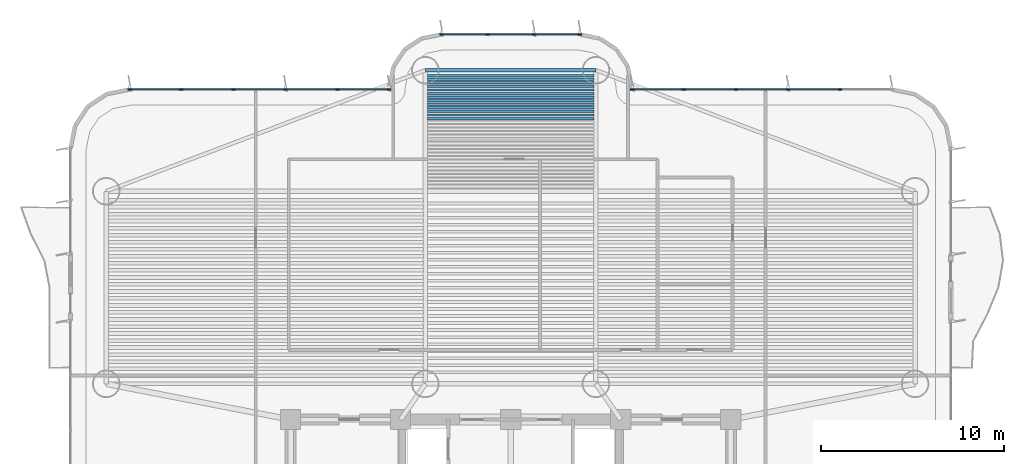
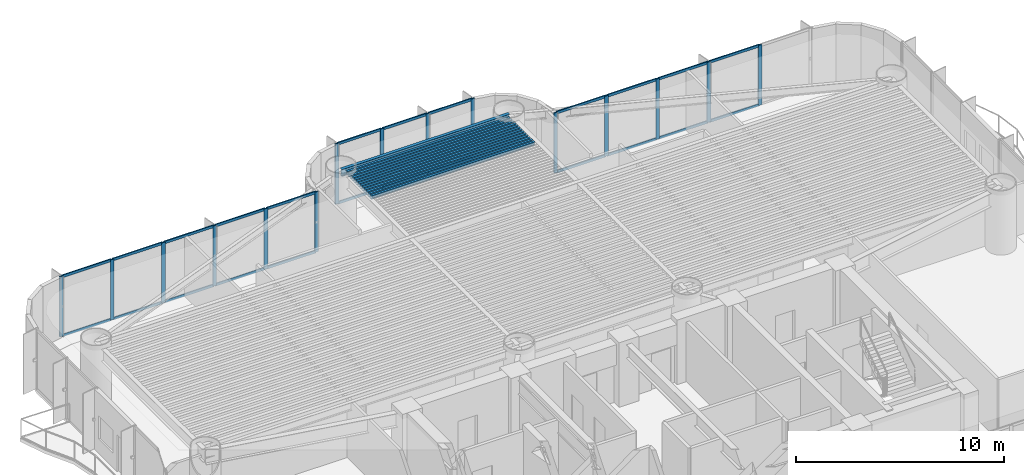
# One storey, part 7 of 16: 39 members, 14 beams, 3 elements without a shape of their own.
"""IFC4 building model written with IfcOpenShell, lengths in metres."""

from ifc_helpers import new_model, si_unit, direction, frame, origin, origin_2d, place, context, subcontext, project, spatial, rectangle, i_section, extrude, source, transform, mapped, material, layer, layer_set, material_profile, profile_set, type_object, element, aggregate, save


model = new_model("IFC4")

# Units and contexts
model_context = context("Model", 3, precision=1e-05, world=origin(), true_north=direction((0.0, 1.0)))
body_context = subcontext(model_context, "Body", "Model", "MODEL_VIEW")
ifc_project = project(units=[si_unit("LENGTHUNIT", "METRE"), si_unit("AREAUNIT", "SQUARE_METRE"), si_unit("VOLUMEUNIT", "CUBIC_METRE"), si_unit("PLANEANGLEUNIT", "RADIAN"), si_unit("MASSUNIT", "GRAM", prefix="KILO")], contexts=[model_context])

# Site, building, storey
site_placement = place(None, origin())
site = spatial("IfcSite", under=ifc_project, at=site_placement, CompositionType="ELEMENT")
building_placement = place(site_placement, origin())
building = spatial("IfcBuilding", under=site, at=building_placement, Name="Brelvock Crest Care Tower", CompositionType="ELEMENT")
storey_placement = place(building_placement, frame((0.0, 0.0, 57.239990234375)))
storey = spatial("IfcBuildingStorey", under=building, at=storey_placement, Name="L14", CompositionType="ELEMENT", Elevation=57.239990234375)

# Beams
ifc_material_1 = material(Name="Steel Grade 350", Category="steel")
ifc_material_profile_1 = material_profile(ifc_material_1, i_section(OverallWidth=0.177978515625, OverallDepth=0.406005859375, WebThickness=0.0078125, FlangeThickness=0.0126953125, FilletRadius=0.011474609375, at=origin_2d()), Name="410UB59.7")
ifc_profile_set_1 = profile_set([ifc_material_profile_1], Name="Steel Grade 350")
beam_type_1 = type_object("IfcBeamType", Name="BM-SP1", PredefinedType="SPANDREL", material=ifc_profile_set_1)
shared_shape_1 = source(origin(), body_context, "Body", "SweptSolid", [
    extrude(i_section(OverallWidth=0.177978515625, OverallDepth=0.406005859375, WebThickness=0.0078125, FlangeThickness=0.0126953125, FilletRadius=0.011474609375, at=origin_2d()), origin(), (0.0, 0.0, 1.0), 9.2998046875),
])
beam_placement = place(storey_placement, frame((31.35009765625, 37.050048828125, 3.326904296875), z_axis=(1.0, 0.0, 0.0), x_axis=(0.0, 1.0, 0.0)))
element("IfcBeam", 1, at=beam_placement, inside=storey, type_object=beam_type_1, Name="BM-TWR-L14-08", PredefinedType="SPANDREL", context=body_context, shape_type="MappedRepresentation", body=[
    mapped(shared_shape_1, transform((0.0, 0.0, 0.0), x_axis=(1.0, 0.0, 0.0), y_axis=(0.0, 1.0, 0.0), z_axis=(0.0, 0.0, 1.0), scale=1.0)),
])
ifc_material_profile_2 = material_profile(ifc_material_1, i_section(OverallWidth=0.134033203125, OverallDepth=0.20703125, WebThickness=0.00634765625, FlangeThickness=0.009521484375, FilletRadius=0.0087890625, at=origin_2d()), Name="200UB29.8")
ifc_profile_set_2 = profile_set([ifc_material_profile_2], Name="Steel Grade 350")
beam_type_2 = type_object("IfcBeamType", Name="BM-J4", PredefinedType="JOIST", material=ifc_profile_set_2)
shared_shape_2 = source(origin(), body_context, "Body", "SweptSolid", [
    extrude(i_section(OverallWidth=0.134033203125, OverallDepth=0.20703125, WebThickness=0.00634765625, FlangeThickness=0.009521484375, FilletRadius=0.0087890625, at=origin_2d()), origin(), (0.0, 0.0, 1.0), 9.06982421875),
])
for number, where, z_axis, x_axis, name in (
    (2, (31.465087890625, 34.413330078125, 3.426513671875), (1.0, 0.0, 0.0), (0.0, 1.0, 0.0), "BM-JN-L14-20"),
    (3, (31.465087890625, 34.60791015625, 3.426513671875), (1.0, 0.0, 0.0), (0.0, 1.0, 0.0), "BM-JN-L14-21"),
    (4, (31.465087890625, 34.802734375, 3.426513671875), (1.0, 0.0, 0.0), (0.0, 1.0, 0.0), "BM-JN-L14-22"),
    (5, (31.465087890625, 34.997314453125, 3.426513671875), (1.0, 0.0, 0.0), (0.0, 1.0, 0.0), "BM-JN-L14-23"),
    (6, (31.465087890625, 35.192138671875, 3.426513671875), (1.0, 0.0, 0.0), (0.0, 1.0, 0.0), "BM-JN-L14-24"),
    (7, (31.465087890625, 35.38671875, 3.426513671875), (1.0, 0.0, 0.0), (0.0, 1.0, 0.0), "BM-JN-L14-25"),
    (8, (31.465087890625, 35.58154296875, 3.426513671875), (1.0, 0.0, 0.0), (0.0, 1.0, 0.0), "BM-JN-L14-26"),
    (9, (31.465087890625, 35.776123046875, 3.426513671875), (1.0, 0.0, 0.0), (0.0, 1.0, 0.0), "BM-JN-L14-27"),
    (10, (31.465087890625, 35.970947265625, 3.426513671875), (1.0, 0.0, 0.0), (0.0, 1.0, 0.0), "BM-JN-L14-28"),
    (11, (31.465087890625, 36.16552734375, 3.426513671875), (1.0, 0.0, 0.0), (0.0, 1.0, 0.0), "BM-JN-L14-29"),
    (12, (31.465087890625, 36.3603515625, 3.426513671875), (1.0, 0.0, 0.0), (0.0, 1.0, 0.0), "BM-JN-L14-30"),
    (13, (31.465087890625, 36.554931640625, 3.426513671875), (1.0, 0.0, 0.0), (0.0, 1.0, 0.0), "BM-JN-L14-31"),
    (14, (31.465087890625, 36.749755859375, 3.426513671875), (1.0, 0.0, 0.0), (0.0, 1.0, 0.0), "BM-JN-L14-32"),
):
    element("IfcBeam", number, at=place(storey_placement, frame(where, z_axis=z_axis, x_axis=x_axis)), inside=storey, type_object=beam_type_2, Name=name, PredefinedType="JOIST", context=body_context, shape_type="MappedRepresentation", body=[
        mapped(shared_shape_2, transform((0.0, 0.0, 0.0), x_axis=(1.0, 0.0, 0.0), y_axis=(0.0, 1.0, 0.0), z_axis=(0.0, 0.0, 1.0), scale=1.0)),
    ])

# Curtain wall, members
ifc_material_2 = material(Name="Dark Glass Double Glazed Low-E", Category="glass")
ifc_layer = layer(ifc_material_2, 0.195068359375, Name="CWS-2")
ifc_layer_set = layer_set([ifc_layer], Name="Dark Glass Double Glazed Low-E")
curtain_wall_type = type_object("IfcCurtainWallType", Name="CWS-2", PredefinedType="NOTDEFINED", material=ifc_layer_set)
curtain_wall_1_placement = place(storey_placement, origin())
curtain_wall_1 = element("IfcCurtainWall", 15, at=curtain_wall_1_placement, inside=storey, type_object=curtain_wall_type, Name="L14 Curtain Wall E18", PredefinedType="NOTDEFINED")
ifc_material_3 = material(Name="Aluminium 6063-T6", Category="aluminium")
ifc_material_profile_3 = material_profile(ifc_material_3, rectangle(XDim=0.06494140625, YDim=0.199951171875, at=origin_2d()), Name="ALU65x200")
ifc_profile_set_3 = profile_set([ifc_material_profile_3], Name="Aluminium 6063-T6")
member_type_1 = type_object("IfcMemberType", Name="CWM-1", PredefinedType="MULLION", material=ifc_profile_set_3)
shared_shape_3 = source(origin(), body_context, "Body", "SweptSolid", [
    extrude(rectangle(XDim=0.06494140625, YDim=0.199951171875, at=origin_2d()), origin(), (0.0, 0.0, 1.0), 3.530029296875),
])
member_1_placement = place(storey_placement, frame((15.232421875, 36.0, 0.0), z_axis=(0.0, 0.0, 1.0), x_axis=(0.0, 1.0, 0.0)))
member_1 = element("IfcMember", 16, at=member_1_placement, type_object=member_type_1, Name="CW-2 mullion 1", PredefinedType="MULLION", context=body_context, shape_type="MappedRepresentation", body=[
    mapped(shared_shape_3, transform((0.0, 0.0, 0.0), x_axis=(1.0, 0.0, 0.0), y_axis=(0.0, 1.0, 0.0), z_axis=(0.0, 0.0, 1.0), scale=1.0)),
])
member_2_placement = place(storey_placement, frame((18.0400390625, 36.0, 0.0), z_axis=(0.0, 0.0, 1.0), x_axis=(0.0, 1.0, 0.0)))
member_2 = element("IfcMember", 17, at=member_2_placement, type_object=member_type_1, Name="CW-2 mullion 2", PredefinedType="MULLION", context=body_context, shape_type="MappedRepresentation", body=[
    mapped(shared_shape_3, transform((0.0, 0.0, 0.0), x_axis=(1.0, 0.0, 0.0), y_axis=(0.0, 1.0, 0.0), z_axis=(0.0, 0.0, 1.0), scale=1.0)),
])
member_3_placement = place(storey_placement, frame((20.8798828125, 36.0, 0.0), z_axis=(0.0, 0.0, 1.0), x_axis=(0.0, 1.0, 0.0)))
member_3 = element("IfcMember", 18, at=member_3_placement, type_object=member_type_1, Name="CW-2 mullion 3", PredefinedType="MULLION", context=body_context, shape_type="MappedRepresentation", body=[
    mapped(shared_shape_3, transform((0.0, 0.0, 0.0), x_axis=(1.0, 0.0, 0.0), y_axis=(0.0, 1.0, 0.0), z_axis=(0.0, 0.0, 1.0), scale=1.0)),
])
member_4_placement = place(storey_placement, frame((23.719970703125, 36.0, 0.0), z_axis=(0.0, 0.0, 1.0), x_axis=(0.0, 1.0, 0.0)))
member_4 = element("IfcMember", 19, at=member_4_placement, type_object=member_type_1, Name="CW-2 mullion 4", PredefinedType="MULLION", context=body_context, shape_type="MappedRepresentation", body=[
    mapped(shared_shape_3, transform((0.0, 0.0, 0.0), x_axis=(1.0, 0.0, 0.0), y_axis=(0.0, 1.0, 0.0), z_axis=(0.0, 0.0, 1.0), scale=1.0)),
])
member_5_placement = place(storey_placement, frame((26.56005859375, 36.0, 0.0), z_axis=(0.0, 0.0, 1.0), x_axis=(0.0, 1.0, 0.0)))
member_5 = element("IfcMember", 20, at=member_5_placement, type_object=member_type_1, Name="CW-2 mullion 5", PredefinedType="MULLION", context=body_context, shape_type="MappedRepresentation", body=[
    mapped(shared_shape_3, transform((0.0, 0.0, 0.0), x_axis=(1.0, 0.0, 0.0), y_axis=(0.0, 1.0, 0.0), z_axis=(0.0, 0.0, 1.0), scale=1.0)),
])
member_6_placement = place(storey_placement, frame((29.367431640625, 36.0, 0.0), z_axis=(0.0, 0.0, 1.0), x_axis=(0.0, 1.0, 0.0)))
member_6 = element("IfcMember", 21, at=member_6_placement, type_object=member_type_1, Name="CW-2 mullion 6", PredefinedType="MULLION", context=body_context, shape_type="MappedRepresentation", body=[
    mapped(shared_shape_3, transform((0.0, 0.0, 0.0), x_axis=(1.0, 0.0, 0.0), y_axis=(0.0, 1.0, 0.0), z_axis=(0.0, 0.0, 1.0), scale=1.0)),
])

curtain_wall_2_placement = place(storey_placement, origin())
curtain_wall_2 = element("IfcCurtainWall", 22, at=curtain_wall_2_placement, inside=storey, type_object=curtain_wall_type, Name="L14 Curtain Wall E24", PredefinedType="NOTDEFINED")
member_7_placement = place(storey_placement, frame((32.232421875, 39.0, 0.0), z_axis=(0.0, 0.0, 1.0), x_axis=(0.0, 1.0, 0.0)))
member_7 = element("IfcMember", 23, at=member_7_placement, type_object=member_type_1, Name="CW-2 mullion 1", PredefinedType="MULLION", context=body_context, shape_type="MappedRepresentation", body=[
    mapped(shared_shape_3, transform((0.0, 0.0, 0.0), x_axis=(1.0, 0.0, 0.0), y_axis=(0.0, 1.0, 0.0), z_axis=(0.0, 0.0, 1.0), scale=1.0)),
])
member_8_placement = place(storey_placement, frame((34.7333984375, 39.0, 0.0), z_axis=(0.0, 0.0, 1.0), x_axis=(0.0, 1.0, 0.0)))
member_8 = element("IfcMember", 24, at=member_8_placement, type_object=member_type_1, Name="CW-2 mullion 2", PredefinedType="MULLION", context=body_context, shape_type="MappedRepresentation", body=[
    mapped(shared_shape_3, transform((0.0, 0.0, 0.0), x_axis=(1.0, 0.0, 0.0), y_axis=(0.0, 1.0, 0.0), z_axis=(0.0, 0.0, 1.0), scale=1.0)),
])
member_9_placement = place(storey_placement, frame((37.2666015625, 39.0, 0.0), z_axis=(0.0, 0.0, 1.0), x_axis=(0.0, 1.0, 0.0)))
member_9 = element("IfcMember", 25, at=member_9_placement, type_object=member_type_1, Name="CW-2 mullion 3", PredefinedType="MULLION", context=body_context, shape_type="MappedRepresentation", body=[
    mapped(shared_shape_3, transform((0.0, 0.0, 0.0), x_axis=(1.0, 0.0, 0.0), y_axis=(0.0, 1.0, 0.0), z_axis=(0.0, 0.0, 1.0), scale=1.0)),
])
member_10_placement = place(storey_placement, frame((39.767578125, 39.0, 0.0), z_axis=(0.0, 0.0, 1.0), x_axis=(0.0, 1.0, 0.0)))
member_10 = element("IfcMember", 26, at=member_10_placement, type_object=member_type_1, Name="CW-2 mullion 4", PredefinedType="MULLION", context=body_context, shape_type="MappedRepresentation", body=[
    mapped(shared_shape_3, transform((0.0, 0.0, 0.0), x_axis=(1.0, 0.0, 0.0), y_axis=(0.0, 1.0, 0.0), z_axis=(0.0, 0.0, 1.0), scale=1.0)),
])

curtain_wall_3_placement = place(storey_placement, origin())
curtain_wall_3 = element("IfcCurtainWall", 27, at=curtain_wall_3_placement, inside=storey, type_object=curtain_wall_type, Name="L14 Curtain Wall E30", PredefinedType="NOTDEFINED")
member_11_placement = place(storey_placement, frame((42.632568359375, 36.0, 0.0), z_axis=(0.0, 0.0, 1.0), x_axis=(0.0, 1.0, 0.0)))
member_11 = element("IfcMember", 28, at=member_11_placement, type_object=member_type_1, Name="CW-2 mullion 1", PredefinedType="MULLION", context=body_context, shape_type="MappedRepresentation", body=[
    mapped(shared_shape_3, transform((0.0, 0.0, 0.0), x_axis=(1.0, 0.0, 0.0), y_axis=(0.0, 1.0, 0.0), z_axis=(0.0, 0.0, 1.0), scale=1.0)),
])
member_12_placement = place(storey_placement, frame((45.43994140625, 36.0, 0.0), z_axis=(0.0, 0.0, 1.0), x_axis=(0.0, 1.0, 0.0)))
member_12 = element("IfcMember", 29, at=member_12_placement, type_object=member_type_1, Name="CW-2 mullion 2", PredefinedType="MULLION", context=body_context, shape_type="MappedRepresentation", body=[
    mapped(shared_shape_3, transform((0.0, 0.0, 0.0), x_axis=(1.0, 0.0, 0.0), y_axis=(0.0, 1.0, 0.0), z_axis=(0.0, 0.0, 1.0), scale=1.0)),
])
member_13_placement = place(storey_placement, frame((48.280029296875, 36.0, 0.0), z_axis=(0.0, 0.0, 1.0), x_axis=(0.0, 1.0, 0.0)))
member_13 = element("IfcMember", 30, at=member_13_placement, type_object=member_type_1, Name="CW-2 mullion 3", PredefinedType="MULLION", context=body_context, shape_type="MappedRepresentation", body=[
    mapped(shared_shape_3, transform((0.0, 0.0, 0.0), x_axis=(1.0, 0.0, 0.0), y_axis=(0.0, 1.0, 0.0), z_axis=(0.0, 0.0, 1.0), scale=1.0)),
])
member_14_placement = place(storey_placement, frame((51.1201171875, 36.0, 0.0), z_axis=(0.0, 0.0, 1.0), x_axis=(0.0, 1.0, 0.0)))
member_14 = element("IfcMember", 31, at=member_14_placement, type_object=member_type_1, Name="CW-2 mullion 4", PredefinedType="MULLION", context=body_context, shape_type="MappedRepresentation", body=[
    mapped(shared_shape_3, transform((0.0, 0.0, 0.0), x_axis=(1.0, 0.0, 0.0), y_axis=(0.0, 1.0, 0.0), z_axis=(0.0, 0.0, 1.0), scale=1.0)),
])
member_15_placement = place(storey_placement, frame((53.9599609375, 36.0, 0.0), z_axis=(0.0, 0.0, 1.0), x_axis=(0.0, 1.0, 0.0)))
member_15 = element("IfcMember", 32, at=member_15_placement, type_object=member_type_1, Name="CW-2 mullion 5", PredefinedType="MULLION", context=body_context, shape_type="MappedRepresentation", body=[
    mapped(shared_shape_3, transform((0.0, 0.0, 0.0), x_axis=(1.0, 0.0, 0.0), y_axis=(0.0, 1.0, 0.0), z_axis=(0.0, 0.0, 1.0), scale=1.0)),
])

# Member
ifc_material_profile_4 = material_profile(ifc_material_3, rectangle(XDim=0.06494140625, YDim=0.14990234375, at=origin_2d()), Name="ALU65x150")
ifc_profile_set_4 = profile_set([ifc_material_profile_4], Name="Aluminium 6063-T6")
member_type_2 = type_object("IfcMemberType", Name="CWT-1", PredefinedType="USERDEFINED", material=ifc_profile_set_4)
shared_shape_4 = source(origin(), body_context, "Body", "SweptSolid", [
    extrude(rectangle(XDim=0.06494140625, YDim=0.14990234375, at=origin_2d()), origin(), (0.0, 0.0, 1.0), 2.74267578125),
])
member_16_placement = place(storey_placement, frame((15.264892578125, 36.0, 0.032470703125), z_axis=(1.0, 0.0, 0.0), x_axis=(0.0, 1.0, 0.0)))
member_16 = element("IfcMember", 33, at=member_16_placement, type_object=member_type_2, Name="CW-2 transom 1.1", ObjectType="TRANSOM", PredefinedType="USERDEFINED", context=body_context, shape_type="MappedRepresentation", body=[
    mapped(shared_shape_4, transform((0.0, 0.0, 0.0), x_axis=(1.0, 0.0, 0.0), y_axis=(0.0, 1.0, 0.0), z_axis=(0.0, 0.0, 1.0), scale=1.0)),
])

member_17_placement = place(storey_placement, frame((15.264892578125, 36.0, 3.49755859375), z_axis=(1.0, 0.0, 0.0), x_axis=(0.0, 1.0, 0.0)))
member_17 = element("IfcMember", 34, at=member_17_placement, type_object=member_type_2, Name="CW-2 transom 1.2", ObjectType="TRANSOM", PredefinedType="USERDEFINED", context=body_context, shape_type="MappedRepresentation", body=[
    mapped(shared_shape_4, transform((0.0, 0.0, 0.0), x_axis=(1.0, 0.0, 0.0), y_axis=(0.0, 1.0, 0.0), z_axis=(0.0, 0.0, 1.0), scale=1.0)),
])

shared_shape_5 = source(origin(), body_context, "Body", "SweptSolid", [
    extrude(rectangle(XDim=0.06494140625, YDim=0.14990234375, at=origin_2d()), origin(), (0.0, 0.0, 1.0), 2.77490234375),
])
member_18_placement = place(storey_placement, frame((18.072509765625, 36.0, 0.032470703125), z_axis=(1.0, 0.0, 0.0), x_axis=(0.0, 1.0, 0.0)))
member_18 = element("IfcMember", 35, at=member_18_placement, type_object=member_type_2, Name="CW-2 transom 2.1", ObjectType="TRANSOM", PredefinedType="USERDEFINED", context=body_context, shape_type="MappedRepresentation", body=[
    mapped(shared_shape_5, transform((0.0, 0.0, 0.0), x_axis=(1.0, 0.0, 0.0), y_axis=(0.0, 1.0, 0.0), z_axis=(0.0, 0.0, 1.0), scale=1.0)),
])

member_19_placement = place(storey_placement, frame((18.072509765625, 36.0, 3.49755859375), z_axis=(1.0, 0.0, 0.0), x_axis=(0.0, 1.0, 0.0)))
member_19 = element("IfcMember", 36, at=member_19_placement, type_object=member_type_2, Name="CW-2 transom 2.2", ObjectType="TRANSOM", PredefinedType="USERDEFINED", context=body_context, shape_type="MappedRepresentation", body=[
    mapped(shared_shape_5, transform((0.0, 0.0, 0.0), x_axis=(1.0, 0.0, 0.0), y_axis=(0.0, 1.0, 0.0), z_axis=(0.0, 0.0, 1.0), scale=1.0)),
])

member_20_placement = place(storey_placement, frame((20.91259765625, 36.0, 0.032470703125), z_axis=(1.0, 0.0, 0.0), x_axis=(0.0, 1.0, 0.0)))
member_20 = element("IfcMember", 37, at=member_20_placement, type_object=member_type_2, Name="CW-2 transom 3.1", ObjectType="TRANSOM", PredefinedType="USERDEFINED", context=body_context, shape_type="MappedRepresentation", body=[
    mapped(shared_shape_5, transform((0.0, 0.0, 0.0), x_axis=(1.0, 0.0, 0.0), y_axis=(0.0, 1.0, 0.0), z_axis=(0.0, 0.0, 1.0), scale=1.0)),
])

member_21_placement = place(storey_placement, frame((20.91259765625, 36.0, 3.49755859375), z_axis=(1.0, 0.0, 0.0), x_axis=(0.0, 1.0, 0.0)))
member_21 = element("IfcMember", 38, at=member_21_placement, type_object=member_type_2, Name="CW-2 transom 3.2", ObjectType="TRANSOM", PredefinedType="USERDEFINED", context=body_context, shape_type="MappedRepresentation", body=[
    mapped(shared_shape_5, transform((0.0, 0.0, 0.0), x_axis=(1.0, 0.0, 0.0), y_axis=(0.0, 1.0, 0.0), z_axis=(0.0, 0.0, 1.0), scale=1.0)),
])

member_22_placement = place(storey_placement, frame((48.3125, 36.0, 0.032470703125), z_axis=(1.0, 0.0, 0.0), x_axis=(0.0, 1.0, 0.0)))
member_22 = element("IfcMember", 39, at=member_22_placement, type_object=member_type_2, Name="CW-2 transom 3.1", ObjectType="TRANSOM", PredefinedType="USERDEFINED", context=body_context, shape_type="MappedRepresentation", body=[
    mapped(shared_shape_5, transform((0.0, 0.0, 0.0), x_axis=(1.0, 0.0, 0.0), y_axis=(0.0, 1.0, 0.0), z_axis=(0.0, 0.0, 1.0), scale=1.0)),
])

member_23_placement = place(storey_placement, frame((48.3125, 36.0, 3.49755859375), z_axis=(1.0, 0.0, 0.0), x_axis=(0.0, 1.0, 0.0)))
member_23 = element("IfcMember", 40, at=member_23_placement, type_object=member_type_2, Name="CW-2 transom 3.2", ObjectType="TRANSOM", PredefinedType="USERDEFINED", context=body_context, shape_type="MappedRepresentation", body=[
    mapped(shared_shape_5, transform((0.0, 0.0, 0.0), x_axis=(1.0, 0.0, 0.0), y_axis=(0.0, 1.0, 0.0), z_axis=(0.0, 0.0, 1.0), scale=1.0)),
])

member_24_placement = place(storey_placement, frame((51.152587890625, 36.0, 0.032470703125), z_axis=(1.0, 0.0, 0.0), x_axis=(0.0, 1.0, 0.0)))
member_24 = element("IfcMember", 41, at=member_24_placement, type_object=member_type_2, Name="CW-2 transom 4.1", ObjectType="TRANSOM", PredefinedType="USERDEFINED", context=body_context, shape_type="MappedRepresentation", body=[
    mapped(shared_shape_5, transform((0.0, 0.0, 0.0), x_axis=(1.0, 0.0, 0.0), y_axis=(0.0, 1.0, 0.0), z_axis=(0.0, 0.0, 1.0), scale=1.0)),
])

member_25_placement = place(storey_placement, frame((51.152587890625, 36.0, 3.49755859375), z_axis=(1.0, 0.0, 0.0), x_axis=(0.0, 1.0, 0.0)))
member_25 = element("IfcMember", 42, at=member_25_placement, type_object=member_type_2, Name="CW-2 transom 4.2", ObjectType="TRANSOM", PredefinedType="USERDEFINED", context=body_context, shape_type="MappedRepresentation", body=[
    mapped(shared_shape_5, transform((0.0, 0.0, 0.0), x_axis=(1.0, 0.0, 0.0), y_axis=(0.0, 1.0, 0.0), z_axis=(0.0, 0.0, 1.0), scale=1.0)),
])

shared_shape_6 = source(origin(), body_context, "Body", "SweptSolid", [
    extrude(rectangle(XDim=0.06494140625, YDim=0.14990234375, at=origin_2d()), origin(), (0.0, 0.0, 1.0), 2.775146484375),
])
member_26_placement = place(storey_placement, frame((23.75244140625, 36.0, 0.032470703125), z_axis=(1.0, 0.0, 0.0), x_axis=(0.0, 1.0, 0.0)))
member_26 = element("IfcMember", 43, at=member_26_placement, type_object=member_type_2, Name="CW-2 transom 4.1", ObjectType="TRANSOM", PredefinedType="USERDEFINED", context=body_context, shape_type="MappedRepresentation", body=[
    mapped(shared_shape_6, transform((0.0, 0.0, 0.0), x_axis=(1.0, 0.0, 0.0), y_axis=(0.0, 1.0, 0.0), z_axis=(0.0, 0.0, 1.0), scale=1.0)),
])

member_27_placement = place(storey_placement, frame((23.75244140625, 36.0, 3.49755859375), z_axis=(1.0, 0.0, 0.0), x_axis=(0.0, 1.0, 0.0)))
member_27 = element("IfcMember", 44, at=member_27_placement, type_object=member_type_2, Name="CW-2 transom 4.2", ObjectType="TRANSOM", PredefinedType="USERDEFINED", context=body_context, shape_type="MappedRepresentation", body=[
    mapped(shared_shape_6, transform((0.0, 0.0, 0.0), x_axis=(1.0, 0.0, 0.0), y_axis=(0.0, 1.0, 0.0), z_axis=(0.0, 0.0, 1.0), scale=1.0)),
])

member_28_placement = place(storey_placement, frame((45.472412109375, 36.0, 0.032470703125), z_axis=(1.0, 0.0, 0.0), x_axis=(0.0, 1.0, 0.0)))
member_28 = element("IfcMember", 45, at=member_28_placement, type_object=member_type_2, Name="CW-2 transom 2.1", ObjectType="TRANSOM", PredefinedType="USERDEFINED", context=body_context, shape_type="MappedRepresentation", body=[
    mapped(shared_shape_6, transform((0.0, 0.0, 0.0), x_axis=(1.0, 0.0, 0.0), y_axis=(0.0, 1.0, 0.0), z_axis=(0.0, 0.0, 1.0), scale=1.0)),
])

member_29_placement = place(storey_placement, frame((45.472412109375, 36.0, 3.49755859375), z_axis=(1.0, 0.0, 0.0), x_axis=(0.0, 1.0, 0.0)))
member_29 = element("IfcMember", 46, at=member_29_placement, type_object=member_type_2, Name="CW-2 transom 2.2", ObjectType="TRANSOM", PredefinedType="USERDEFINED", context=body_context, shape_type="MappedRepresentation", body=[
    mapped(shared_shape_6, transform((0.0, 0.0, 0.0), x_axis=(1.0, 0.0, 0.0), y_axis=(0.0, 1.0, 0.0), z_axis=(0.0, 0.0, 1.0), scale=1.0)),
])

shared_shape_7 = source(origin(), body_context, "Body", "SweptSolid", [
    extrude(rectangle(XDim=0.06494140625, YDim=0.14990234375, at=origin_2d()), origin(), (0.0, 0.0, 1.0), 2.742431640625),
])
member_30_placement = place(storey_placement, frame((26.592529296875, 36.0, 0.032470703125), z_axis=(1.0, 0.0, 0.0), x_axis=(0.0, 1.0, 0.0)))
member_30 = element("IfcMember", 47, at=member_30_placement, type_object=member_type_2, Name="CW-2 transom 5.1", ObjectType="TRANSOM", PredefinedType="USERDEFINED", context=body_context, shape_type="MappedRepresentation", body=[
    mapped(shared_shape_7, transform((0.0, 0.0, 0.0), x_axis=(1.0, 0.0, 0.0), y_axis=(0.0, 1.0, 0.0), z_axis=(0.0, 0.0, 1.0), scale=1.0)),
])

member_31_placement = place(storey_placement, frame((26.592529296875, 36.0, 3.49755859375), z_axis=(1.0, 0.0, 0.0), x_axis=(0.0, 1.0, 0.0)))
member_31 = element("IfcMember", 48, at=member_31_placement, type_object=member_type_2, Name="CW-2 transom 5.2", ObjectType="TRANSOM", PredefinedType="USERDEFINED", context=body_context, shape_type="MappedRepresentation", body=[
    mapped(shared_shape_7, transform((0.0, 0.0, 0.0), x_axis=(1.0, 0.0, 0.0), y_axis=(0.0, 1.0, 0.0), z_axis=(0.0, 0.0, 1.0), scale=1.0)),
])

aggregate(curtain_wall_1, [member_1, member_2, member_3, member_4, member_5, member_6, member_16, member_17, member_18, member_19, member_20, member_21, member_26, member_27, member_30, member_31])

member_32_placement = place(storey_placement, frame((42.6650390625, 36.0, 0.032470703125), z_axis=(1.0, 0.0, 0.0), x_axis=(0.0, 1.0, 0.0)))
member_32 = element("IfcMember", 49, at=member_32_placement, type_object=member_type_2, Name="CW-2 transom 1.1", ObjectType="TRANSOM", PredefinedType="USERDEFINED", context=body_context, shape_type="MappedRepresentation", body=[
    mapped(shared_shape_7, transform((0.0, 0.0, 0.0), x_axis=(1.0, 0.0, 0.0), y_axis=(0.0, 1.0, 0.0), z_axis=(0.0, 0.0, 1.0), scale=1.0)),
])

member_33_placement = place(storey_placement, frame((42.6650390625, 36.0, 3.49755859375), z_axis=(1.0, 0.0, 0.0), x_axis=(0.0, 1.0, 0.0)))
member_33 = element("IfcMember", 50, at=member_33_placement, type_object=member_type_2, Name="CW-2 transom 1.2", ObjectType="TRANSOM", PredefinedType="USERDEFINED", context=body_context, shape_type="MappedRepresentation", body=[
    mapped(shared_shape_7, transform((0.0, 0.0, 0.0), x_axis=(1.0, 0.0, 0.0), y_axis=(0.0, 1.0, 0.0), z_axis=(0.0, 0.0, 1.0), scale=1.0)),
])

aggregate(curtain_wall_3, [member_11, member_12, member_13, member_14, member_15, member_32, member_33, member_28, member_29, member_22, member_23, member_24, member_25])

shared_shape_8 = source(origin(), body_context, "Body", "SweptSolid", [
    extrude(rectangle(XDim=0.06494140625, YDim=0.14990234375, at=origin_2d()), origin(), (0.0, 0.0, 1.0), 2.43603515625),
])
member_34_placement = place(storey_placement, frame((32.264892578125, 39.0, 0.032470703125), z_axis=(1.0, 0.0, 0.0), x_axis=(0.0, 1.0, 0.0)))
member_34 = element("IfcMember", 51, at=member_34_placement, type_object=member_type_2, Name="CW-2 transom 1.1", ObjectType="TRANSOM", PredefinedType="USERDEFINED", context=body_context, shape_type="MappedRepresentation", body=[
    mapped(shared_shape_8, transform((0.0, 0.0, 0.0), x_axis=(1.0, 0.0, 0.0), y_axis=(0.0, 1.0, 0.0), z_axis=(0.0, 0.0, 1.0), scale=1.0)),
])

member_35_placement = place(storey_placement, frame((32.264892578125, 39.0, 3.49755859375), z_axis=(1.0, 0.0, 0.0), x_axis=(0.0, 1.0, 0.0)))
member_35 = element("IfcMember", 52, at=member_35_placement, type_object=member_type_2, Name="CW-2 transom 1.2", ObjectType="TRANSOM", PredefinedType="USERDEFINED", context=body_context, shape_type="MappedRepresentation", body=[
    mapped(shared_shape_8, transform((0.0, 0.0, 0.0), x_axis=(1.0, 0.0, 0.0), y_axis=(0.0, 1.0, 0.0), z_axis=(0.0, 0.0, 1.0), scale=1.0)),
])

member_36_placement = place(storey_placement, frame((37.299072265625, 39.0, 0.032470703125), z_axis=(1.0, 0.0, 0.0), x_axis=(0.0, 1.0, 0.0)))
member_36 = element("IfcMember", 53, at=member_36_placement, type_object=member_type_2, Name="CW-2 transom 3.1", ObjectType="TRANSOM", PredefinedType="USERDEFINED", context=body_context, shape_type="MappedRepresentation", body=[
    mapped(shared_shape_8, transform((0.0, 0.0, 0.0), x_axis=(1.0, 0.0, 0.0), y_axis=(0.0, 1.0, 0.0), z_axis=(0.0, 0.0, 1.0), scale=1.0)),
])

member_37_placement = place(storey_placement, frame((37.299072265625, 39.0, 3.49755859375), z_axis=(1.0, 0.0, 0.0), x_axis=(0.0, 1.0, 0.0)))
member_37 = element("IfcMember", 54, at=member_37_placement, type_object=member_type_2, Name="CW-2 transom 3.2", ObjectType="TRANSOM", PredefinedType="USERDEFINED", context=body_context, shape_type="MappedRepresentation", body=[
    mapped(shared_shape_8, transform((0.0, 0.0, 0.0), x_axis=(1.0, 0.0, 0.0), y_axis=(0.0, 1.0, 0.0), z_axis=(0.0, 0.0, 1.0), scale=1.0)),
])

shared_shape_9 = source(origin(), body_context, "Body", "SweptSolid", [
    extrude(rectangle(XDim=0.06494140625, YDim=0.14990234375, at=origin_2d()), origin(), (0.0, 0.0, 1.0), 2.46826171875),
])
member_38_placement = place(storey_placement, frame((34.765869140625, 39.0, 0.032470703125), z_axis=(1.0, 0.0, 0.0), x_axis=(0.0, 1.0, 0.0)))
member_38 = element("IfcMember", 55, at=member_38_placement, type_object=member_type_2, Name="CW-2 transom 2.1", ObjectType="TRANSOM", PredefinedType="USERDEFINED", context=body_context, shape_type="MappedRepresentation", body=[
    mapped(shared_shape_9, transform((0.0, 0.0, 0.0), x_axis=(1.0, 0.0, 0.0), y_axis=(0.0, 1.0, 0.0), z_axis=(0.0, 0.0, 1.0), scale=1.0)),
])

member_39_placement = place(storey_placement, frame((34.765869140625, 39.0, 3.49755859375), z_axis=(1.0, 0.0, 0.0), x_axis=(0.0, 1.0, 0.0)))
member_39 = element("IfcMember", 56, at=member_39_placement, type_object=member_type_2, Name="CW-2 transom 2.2", ObjectType="TRANSOM", PredefinedType="USERDEFINED", context=body_context, shape_type="MappedRepresentation", body=[
    mapped(shared_shape_9, transform((0.0, 0.0, 0.0), x_axis=(1.0, 0.0, 0.0), y_axis=(0.0, 1.0, 0.0), z_axis=(0.0, 0.0, 1.0), scale=1.0)),
])

aggregate(curtain_wall_2, [member_7, member_8, member_9, member_10, member_34, member_35, member_38, member_39, member_36, member_37])

save(model, "model.ifc")
